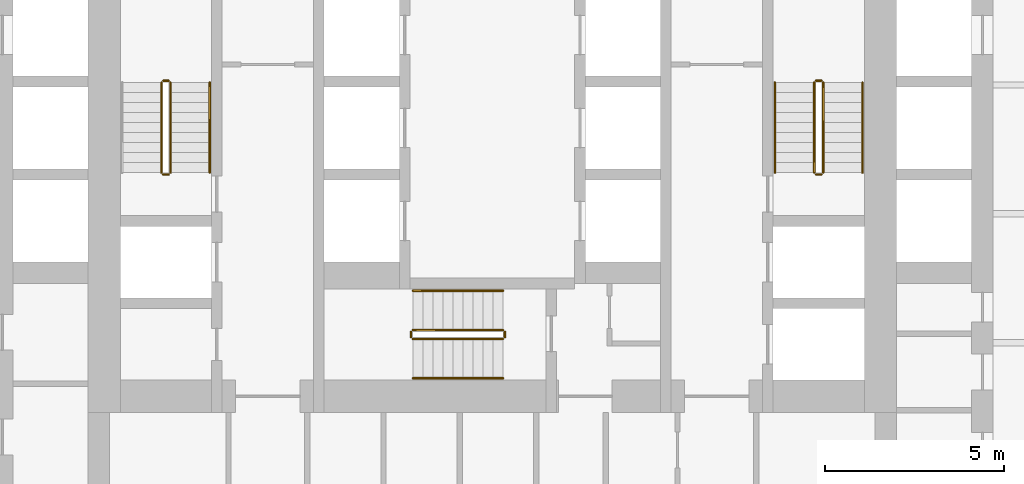
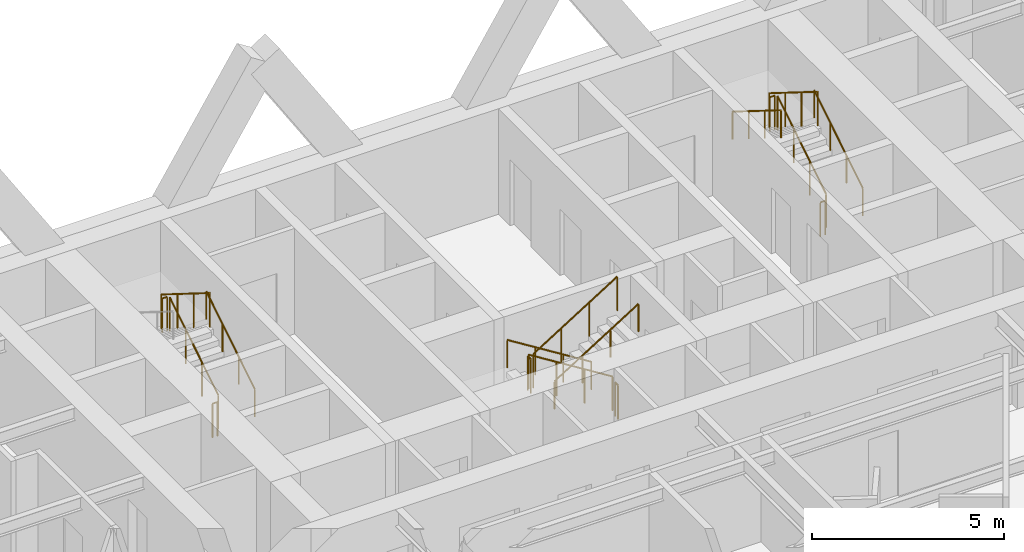
# One storey, part 12 of 12: 17 railings.
"""IFC4 building model written with IfcOpenShell, lengths in metres."""

from ifc_helpers import new_model, si_unit, direction, frame, origin, origin_2d, place, context, subcontext, project, spatial, circle, extrude, material, type_object, element, save


model = new_model("IFC4")

# Units and contexts
model_context = context("Model", 3, precision=1e-05, world=origin(), true_north=direction((0.0, 1.0)))
body_context = subcontext(model_context, "Body", "Model", "MODEL_VIEW")
ifc_project = project(units=[si_unit("LENGTHUNIT", "METRE"), si_unit("AREAUNIT", "SQUARE_METRE"), si_unit("VOLUMEUNIT", "CUBIC_METRE"), si_unit("PLANEANGLEUNIT", "RADIAN"), si_unit("MASSUNIT", "GRAM", prefix="KILO")], contexts=[model_context])

# Site, building, storey
site_placement = place(None, origin())
site = spatial("IfcSite", under=ifc_project, at=site_placement, CompositionType="ELEMENT")
building_placement = place(site_placement, origin())
building = spatial("IfcBuilding", under=site, at=building_placement, Name="Aloe Facet Convention Tower", CompositionType="ELEMENT")
storey_placement = place(building_placement, frame((0.0, 0.0, 70.0)))
storey = spatial("IfcBuildingStorey", under=building, at=storey_placement, Name="L16", CompositionType="ELEMENT", Elevation=70.0)

# Railings
ifc_material_1 = material(Name="Steel S355 balustrade", Category="steel")
railing_type_1 = type_object("IfcRailingType", Name="CR-RL-GUARD", PredefinedType="GUARDRAIL", material=ifc_material_1)
railing_1_placement = place(storey_placement, frame((71.0, 128.949951171875, 0.175048828125)))
element("IfcRailing", 1, at=railing_1_placement, inside=storey, type_object=railing_type_1, Name="L16 ST1 stair guard 1", PredefinedType="GUARDRAIL", context=body_context, shape_type="SweptSolid", body=[
    extrude(circle(Radius=0.02392578125, at=origin_2d()), frame((0.0, 0.0, 1.076171875), z_axis=(0.0, 0.848007534815, 0.529984170421), x_axis=(-1.0, 0.0, 0.0)), (0.0, 0.0, 1.0), 2.9716796875),
    extrude(circle(Radius=0.02099609375, at=origin_2d()), origin(), (0.0, 0.0, 1.0), 1.052001953125),
    extrude(circle(Radius=0.02099609375, at=origin_2d()), frame((0.0, 0.840087890625, 0.52490234375)), (0.0, 0.0, 1.0), 1.052001953125),
    extrude(circle(Radius=0.02099609375, at=origin_2d()), frame((0.0, 1.679931640625, 1.050048828125)), (0.0, 0.0, 1.0), 1.052001953125),
    extrude(circle(Radius=0.02099609375, at=origin_2d()), frame((0.0, 2.52001953125, 1.574951171875)), (0.0, 0.0, 1.0), 1.052001953125),
])
railing_2_placement = place(storey_placement, frame((70.949951171875, 131.52001953125, 1.75)))
element("IfcRailing", 2, at=railing_2_placement, inside=storey, type_object=railing_type_1, Name="L16 ST1 stair guard 2", PredefinedType="GUARDRAIL", context=body_context, shape_type="SweptSolid", body=[
    extrude(circle(Radius=0.02392578125, at=origin_2d()), frame((0.0, 0.0, 1.076171875), z_axis=(-1.0, 0.0, 0.0), x_axis=(0.0, -1.0, 0.0)), (0.0, 0.0, 1.0), 0.14990234375),
    extrude(circle(Radius=0.02099609375, at=origin_2d()), origin(), (0.0, 0.0, 1.0), 1.052001953125),
    extrude(circle(Radius=0.02099609375, at=origin_2d()), frame((-0.14990234375, 0.0, 0.0)), (0.0, 0.0, 1.0), 1.052001953125),
])
railing_3_placement = place(storey_placement, frame((70.75, 131.469970703125, 1.925048828125)))
element("IfcRailing", 3, at=railing_3_placement, inside=storey, type_object=railing_type_1, Name="L16 ST1 stair guard 3", PredefinedType="GUARDRAIL", context=body_context, shape_type="SweptSolid", body=[
    extrude(circle(Radius=0.02392578125, at=origin_2d()), frame((0.0, 0.0, 1.076171875), z_axis=(0.0, -0.848007534815, 0.529984170421), x_axis=(1.0, 0.0, 0.0)), (0.0, 0.0, 1.0), 2.9716796875),
    extrude(circle(Radius=0.02099609375, at=origin_2d()), origin(), (0.0, 0.0, 1.0), 1.052001953125),
    extrude(circle(Radius=0.02099609375, at=origin_2d()), frame((0.0, -0.840087890625, 0.52490234375)), (0.0, 0.0, 1.0), 1.052001953125),
    extrude(circle(Radius=0.02099609375, at=origin_2d()), frame((0.0, -1.679931640625, 1.050048828125)), (0.0, 0.0, 1.0), 1.052001953125),
    extrude(circle(Radius=0.02099609375, at=origin_2d()), frame((0.0, -2.52001953125, 1.574951171875)), (0.0, 0.0, 1.0), 1.052001953125),
])
railing_4_placement = place(storey_placement, frame((70.949951171875, 128.89990234375, 0.0)))
element("IfcRailing", 4, at=railing_4_placement, inside=storey, type_object=railing_type_1, Name="L16 ST1 stair guard 4", PredefinedType="GUARDRAIL", context=body_context, shape_type="SweptSolid", body=[
    extrude(circle(Radius=0.02392578125, at=origin_2d()), frame((0.0, 0.0, 1.076171875), z_axis=(-1.0, 0.0, 0.0), x_axis=(0.0, -1.0, 0.0)), (0.0, 0.0, 1.0), 0.14990234375),
    extrude(circle(Radius=0.02099609375, at=origin_2d()), origin(), (0.0, 0.0, 1.0), 1.052001953125),
    extrude(circle(Radius=0.02099609375, at=origin_2d()), frame((-0.14990234375, 0.0, 0.0)), (0.0, 0.0, 1.0), 1.052001953125),
])
railing_5_placement = place(storey_placement, frame((89.25, 128.949951171875, 0.175048828125)))
element("IfcRailing", 5, at=railing_5_placement, inside=storey, type_object=railing_type_1, Name="L16 ST2 stair guard 1", PredefinedType="GUARDRAIL", context=body_context, shape_type="SweptSolid", body=[
    extrude(circle(Radius=0.02392578125, at=origin_2d()), frame((0.0, 0.0, 1.076171875), z_axis=(0.0, 0.848007534815, 0.529984170421), x_axis=(-1.0, 0.0, 0.0)), (0.0, 0.0, 1.0), 2.9716796875),
    extrude(circle(Radius=0.02099609375, at=origin_2d()), origin(), (0.0, 0.0, 1.0), 1.052001953125),
    extrude(circle(Radius=0.02099609375, at=origin_2d()), frame((0.0, 0.840087890625, 0.52490234375)), (0.0, 0.0, 1.0), 1.052001953125),
    extrude(circle(Radius=0.02099609375, at=origin_2d()), frame((0.0, 1.679931640625, 1.050048828125)), (0.0, 0.0, 1.0), 1.052001953125),
    extrude(circle(Radius=0.02099609375, at=origin_2d()), frame((0.0, 2.52001953125, 1.574951171875)), (0.0, 0.0, 1.0), 1.052001953125),
])
railing_6_placement = place(storey_placement, frame((89.199951171875, 131.52001953125, 1.75)))
element("IfcRailing", 6, at=railing_6_placement, inside=storey, type_object=railing_type_1, Name="L16 ST2 stair guard 2", PredefinedType="GUARDRAIL", context=body_context, shape_type="SweptSolid", body=[
    extrude(circle(Radius=0.02392578125, at=origin_2d()), frame((0.0, 0.0, 1.076171875), z_axis=(-1.0, 0.0, 0.0), x_axis=(0.0, -1.0, 0.0)), (0.0, 0.0, 1.0), 0.14990234375),
    extrude(circle(Radius=0.02099609375, at=origin_2d()), origin(), (0.0, 0.0, 1.0), 1.052001953125),
    extrude(circle(Radius=0.02099609375, at=origin_2d()), frame((-0.14990234375, 0.0, 0.0)), (0.0, 0.0, 1.0), 1.052001953125),
])
railing_7_placement = place(storey_placement, frame((89.0, 131.469970703125, 1.925048828125)))
element("IfcRailing", 7, at=railing_7_placement, inside=storey, type_object=railing_type_1, Name="L16 ST2 stair guard 3", PredefinedType="GUARDRAIL", context=body_context, shape_type="SweptSolid", body=[
    extrude(circle(Radius=0.02392578125, at=origin_2d()), frame((0.0, 0.0, 1.076171875), z_axis=(0.0, -0.848007534815, 0.529984170421), x_axis=(1.0, 0.0, 0.0)), (0.0, 0.0, 1.0), 2.9716796875),
    extrude(circle(Radius=0.02099609375, at=origin_2d()), origin(), (0.0, 0.0, 1.0), 1.052001953125),
    extrude(circle(Radius=0.02099609375, at=origin_2d()), frame((0.0, -0.840087890625, 0.52490234375)), (0.0, 0.0, 1.0), 1.052001953125),
    extrude(circle(Radius=0.02099609375, at=origin_2d()), frame((0.0, -1.679931640625, 1.050048828125)), (0.0, 0.0, 1.0), 1.052001953125),
    extrude(circle(Radius=0.02099609375, at=origin_2d()), frame((0.0, -2.52001953125, 1.574951171875)), (0.0, 0.0, 1.0), 1.052001953125),
])
railing_8_placement = place(storey_placement, frame((89.199951171875, 128.89990234375, 0.0)))
element("IfcRailing", 8, at=railing_8_placement, inside=storey, type_object=railing_type_1, Name="L16 ST2 stair guard 4", PredefinedType="GUARDRAIL", context=body_context, shape_type="SweptSolid", body=[
    extrude(circle(Radius=0.02392578125, at=origin_2d()), frame((0.0, 0.0, 1.076171875), z_axis=(-1.0, 0.0, 0.0), x_axis=(0.0, -1.0, 0.0)), (0.0, 0.0, 1.0), 0.14990234375),
    extrude(circle(Radius=0.02099609375, at=origin_2d()), origin(), (0.0, 0.0, 1.0), 1.052001953125),
    extrude(circle(Radius=0.02099609375, at=origin_2d()), frame((-0.14990234375, 0.0, 0.0)), (0.0, 0.0, 1.0), 1.052001953125),
])
railing_9_placement = place(storey_placement, frame((80.300048828125, 124.550048828125, 0.175048828125)))
element("IfcRailing", 9, at=railing_9_placement, inside=storey, type_object=railing_type_1, Name="L16 ST3 stair guard 1", PredefinedType="GUARDRAIL", context=body_context, shape_type="SweptSolid", body=[
    extrude(circle(Radius=0.02392578125, at=origin_2d()), frame((0.0, 0.0, 1.076171875), z_axis=(-0.848007534815, 0.0, 0.529984170421), x_axis=(0.0, -1.0, 0.0)), (0.0, 0.0, 1.0), 2.9716796875),
    extrude(circle(Radius=0.02099609375, at=origin_2d()), origin(), (0.0, 0.0, 1.0), 1.052001953125),
    extrude(circle(Radius=0.02099609375, at=origin_2d()), frame((-0.840087890625, 0.0, 0.52490234375)), (0.0, 0.0, 1.0), 1.052001953125),
    extrude(circle(Radius=0.02099609375, at=origin_2d()), frame((-1.679931640625, 0.0, 1.050048828125)), (0.0, 0.0, 1.0), 1.052001953125),
    extrude(circle(Radius=0.02099609375, at=origin_2d()), frame((-2.52001953125, 0.0, 1.574951171875)), (0.0, 0.0, 1.0), 1.052001953125),
])
railing_10_placement = place(storey_placement, frame((77.72998046875, 124.5, 1.75)))
element("IfcRailing", 10, at=railing_10_placement, inside=storey, type_object=railing_type_1, Name="L16 ST3 stair guard 2", PredefinedType="GUARDRAIL", context=body_context, shape_type="SweptSolid", body=[
    extrude(circle(Radius=0.02392578125, at=origin_2d()), frame((0.0, 0.0, 1.076171875), z_axis=(0.0, -1.0, 0.0), x_axis=(1.0, 0.0, 0.0)), (0.0, 0.0, 1.0), 0.14990234375),
    extrude(circle(Radius=0.02099609375, at=origin_2d()), origin(), (0.0, 0.0, 1.0), 1.052001953125),
    extrude(circle(Radius=0.02099609375, at=origin_2d()), frame((0.0, -0.14990234375, 0.0)), (0.0, 0.0, 1.0), 1.052001953125),
])
railing_11_placement = place(storey_placement, frame((77.780029296875, 124.300048828125, 1.925048828125)))
element("IfcRailing", 11, at=railing_11_placement, inside=storey, type_object=railing_type_1, Name="L16 ST3 stair guard 3", PredefinedType="GUARDRAIL", context=body_context, shape_type="SweptSolid", body=[
    extrude(circle(Radius=0.02392578125, at=origin_2d()), frame((0.0, 0.0, 1.076171875), z_axis=(0.848007534815, 0.0, 0.529984170421), x_axis=(0.0, 1.0, 0.0)), (0.0, 0.0, 1.0), 2.9716796875),
    extrude(circle(Radius=0.02099609375, at=origin_2d()), origin(), (0.0, 0.0, 1.0), 1.052001953125),
    extrude(circle(Radius=0.02099609375, at=origin_2d()), frame((0.840087890625, 0.0, 0.52490234375)), (0.0, 0.0, 1.0), 1.052001953125),
    extrude(circle(Radius=0.02099609375, at=origin_2d()), frame((1.679931640625, 0.0, 1.050048828125)), (0.0, 0.0, 1.0), 1.052001953125),
    extrude(circle(Radius=0.02099609375, at=origin_2d()), frame((2.52001953125, 0.0, 1.574951171875)), (0.0, 0.0, 1.0), 1.052001953125),
])
railing_12_placement = place(storey_placement, frame((80.35009765625, 124.5, 0.0)))
element("IfcRailing", 12, at=railing_12_placement, inside=storey, type_object=railing_type_1, Name="L16 ST3 stair guard 4", PredefinedType="GUARDRAIL", context=body_context, shape_type="SweptSolid", body=[
    extrude(circle(Radius=0.02392578125, at=origin_2d()), frame((0.0, 0.0, 1.076171875), z_axis=(0.0, -1.0, 0.0), x_axis=(1.0, 0.0, 0.0)), (0.0, 0.0, 1.0), 0.14990234375),
    extrude(circle(Radius=0.02099609375, at=origin_2d()), origin(), (0.0, 0.0, 1.0), 1.052001953125),
    extrude(circle(Radius=0.02099609375, at=origin_2d()), frame((0.0, -0.14990234375, 0.0)), (0.0, 0.0, 1.0), 1.052001953125),
])
ifc_material_2 = material(Name="Steel S355 handrail", Category="steel")
railing_type_2 = type_object("IfcRailingType", Name="CR-RL-HAND", PredefinedType="HANDRAIL", material=ifc_material_2)
for number, where, name in (
    (13, (72.10009765625, 128.949951171875, 0.175048828125), "L16 ST1 stair handrail 1"),
    (14, (90.35009765625, 128.949951171875, 0.175048828125), "L16 ST2 stair handrail 1"),
):
    element("IfcRailing", number, at=place(storey_placement, frame(where)), inside=storey, type_object=railing_type_2, Name=name, PredefinedType="HANDRAIL", context=body_context, shape_type="SweptSolid", body=[
        extrude(circle(Radius=0.02392578125, at=origin_2d()), frame((0.0, 0.0, 0.8759765625), z_axis=(0.0, 0.848007534815, 0.529984170421), x_axis=(-1.0, 0.0, 0.0)), (0.0, 0.0, 1.0), 2.9716796875),
        extrude(circle(Radius=0.02099609375, at=origin_2d()), origin(), (0.0, 0.0, 1.0), 0.851806640625),
        extrude(circle(Radius=0.02099609375, at=origin_2d()), frame((0.0, 0.840087890625, 0.52490234375)), (0.0, 0.0, 1.0), 0.851806640625),
        extrude(circle(Radius=0.02099609375, at=origin_2d()), frame((0.0, 1.679931640625, 1.050048828125)), (0.0, 0.0, 1.0), 0.851806640625),
        extrude(circle(Radius=0.02099609375, at=origin_2d()), frame((0.0, 2.52001953125, 1.574951171875)), (0.0, 0.0, 1.0), 0.851806640625),
    ])
railing_13_placement = place(storey_placement, frame((87.89990234375, 131.469970703125, 1.925048828125)))
element("IfcRailing", 15, at=railing_13_placement, inside=storey, type_object=railing_type_2, Name="L16 ST2 stair handrail 2", PredefinedType="HANDRAIL", context=body_context, shape_type="SweptSolid", body=[
    extrude(circle(Radius=0.02392578125, at=origin_2d()), frame((0.0, 0.0, 0.8759765625), z_axis=(0.0, -0.848007534815, 0.529984170421), x_axis=(1.0, 0.0, 0.0)), (0.0, 0.0, 1.0), 2.9716796875),
    extrude(circle(Radius=0.02099609375, at=origin_2d()), origin(), (0.0, 0.0, 1.0), 0.851806640625),
    extrude(circle(Radius=0.02099609375, at=origin_2d()), frame((0.0, -0.840087890625, 0.52490234375)), (0.0, 0.0, 1.0), 0.851806640625),
    extrude(circle(Radius=0.02099609375, at=origin_2d()), frame((0.0, -1.679931640625, 1.050048828125)), (0.0, 0.0, 1.0), 0.851806640625),
    extrude(circle(Radius=0.02099609375, at=origin_2d()), frame((0.0, -2.52001953125, 1.574951171875)), (0.0, 0.0, 1.0), 0.851806640625),
])
railing_14_placement = place(storey_placement, frame((80.300048828125, 125.64990234375, 0.175048828125)))
element("IfcRailing", 16, at=railing_14_placement, inside=storey, type_object=railing_type_2, Name="L16 ST3 stair handrail 1", PredefinedType="HANDRAIL", context=body_context, shape_type="SweptSolid", body=[
    extrude(circle(Radius=0.02392578125, at=origin_2d()), frame((0.0, 0.0, 0.8759765625), z_axis=(-0.848007534815, 0.0, 0.529984170421), x_axis=(0.0, -1.0, 0.0)), (0.0, 0.0, 1.0), 2.9716796875),
    extrude(circle(Radius=0.02099609375, at=origin_2d()), origin(), (0.0, 0.0, 1.0), 0.851806640625),
    extrude(circle(Radius=0.02099609375, at=origin_2d()), frame((-0.840087890625, 0.0, 0.52490234375)), (0.0, 0.0, 1.0), 0.851806640625),
    extrude(circle(Radius=0.02099609375, at=origin_2d()), frame((-1.679931640625, 0.0, 1.050048828125)), (0.0, 0.0, 1.0), 0.851806640625),
    extrude(circle(Radius=0.02099609375, at=origin_2d()), frame((-2.52001953125, 0.0, 1.574951171875)), (0.0, 0.0, 1.0), 0.851806640625),
])
railing_15_placement = place(storey_placement, frame((77.780029296875, 123.199951171875, 1.925048828125)))
element("IfcRailing", 17, at=railing_15_placement, inside=storey, type_object=railing_type_2, Name="L16 ST3 stair handrail 2", PredefinedType="HANDRAIL", context=body_context, shape_type="SweptSolid", body=[
    extrude(circle(Radius=0.02392578125, at=origin_2d()), frame((0.0, 0.0, 0.8759765625), z_axis=(0.848007534815, 0.0, 0.529984170421), x_axis=(0.0, 1.0, 0.0)), (0.0, 0.0, 1.0), 2.9716796875),
    extrude(circle(Radius=0.02099609375, at=origin_2d()), origin(), (0.0, 0.0, 1.0), 0.851806640625),
    extrude(circle(Radius=0.02099609375, at=origin_2d()), frame((0.840087890625, 0.0, 0.52490234375)), (0.0, 0.0, 1.0), 0.851806640625),
    extrude(circle(Radius=0.02099609375, at=origin_2d()), frame((1.679931640625, 0.0, 1.050048828125)), (0.0, 0.0, 1.0), 0.851806640625),
    extrude(circle(Radius=0.02099609375, at=origin_2d()), frame((2.52001953125, 0.0, 1.574951171875)), (0.0, 0.0, 1.0), 0.851806640625),
])

save(model, "model.ifc")
